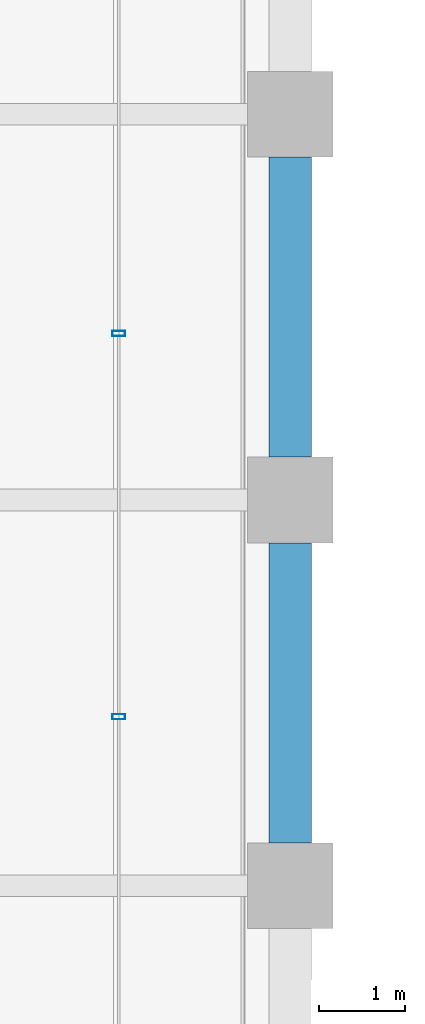
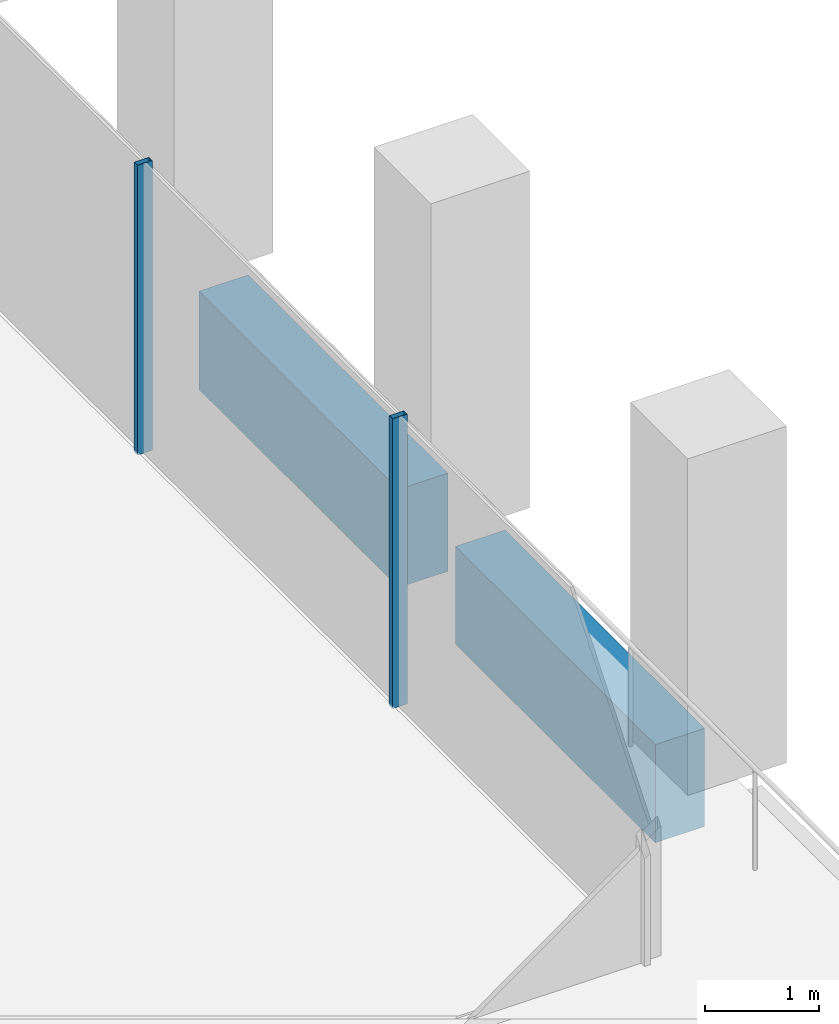
# One storey, part 15 of 46: 2 beams, 2 members, 1 element without a shape of its own.
"""IFC4 building model written with IfcOpenShell, lengths in metres."""

from ifc_helpers import new_model, si_unit, direction, frame, origin, origin_2d, place, context, subcontext, project, spatial, rectangle, hollow_rectangle, extrude, material, material_profile, profile_set, type_object, element, aggregate, save


model = new_model("IFC4")

# Units and contexts
model_context = context("Model", 3, precision=1e-05, world=origin(), true_north=direction((0.0, 1.0)))
body_context = subcontext(model_context, "Body", "Model", "MODEL_VIEW")
ifc_project = project(units=[si_unit("LENGTHUNIT", "METRE"), si_unit("AREAUNIT", "SQUARE_METRE"), si_unit("VOLUMEUNIT", "CUBIC_METRE"), si_unit("PLANEANGLEUNIT", "RADIAN"), si_unit("MASSUNIT", "GRAM", prefix="KILO")], contexts=[model_context])

# Site, building, storey
site_placement = place(None, origin())
site = spatial("IfcSite", under=ifc_project, at=site_placement, CompositionType="ELEMENT")
building_placement = place(site_placement, origin())
building = spatial("IfcBuilding", under=site, at=building_placement, Name="Altepetl Exchange Towers", CompositionType="ELEMENT")
storey_placement = place(building_placement, frame((0.0, 0.0, 102.800048828125)))
storey = spatial("IfcBuildingStorey", under=building, at=storey_placement, Name="L25", CompositionType="ELEMENT", Elevation=102.800048828125)

# Curtain wall, members
ifc_material_1 = material(Name="Aluminium 6063-T6 glazing", Category="aluminium")
curtain_wall_type = type_object("IfcCurtainWallType", Name="Loggia glazing system", PredefinedType="NOTDEFINED", material=ifc_material_1)
curtain_wall_placement = place(storey_placement, origin())
curtain_wall = element("IfcCurtainWall", 1, at=curtain_wall_placement, inside=storey, type_object=curtain_wall_type, Name="CW1 run", PredefinedType="NOTDEFINED")
ifc_material_2 = material(Name="Aluminium 6063-T6", Category="aluminium")
ifc_material_profile_1 = material_profile(ifc_material_2, hollow_rectangle(XDim=0.06005859375, YDim=0.14990234375, WallThickness=0.0029296875, at=origin_2d()), Name="Mullion 60x150 aluminium")
ifc_profile_set_1 = profile_set([ifc_material_profile_1], Name="Aluminium 6063-T6")
member_type = type_object("IfcMemberType", Name="Mullion 60x150 aluminium", PredefinedType="MULLION", material=ifc_profile_set_1)
member_1_placement = place(storey_placement, frame((70.0, 37.970947265625, 0.0), z_axis=(0.0, 0.0, 1.0), x_axis=(0.0, 1.0, 0.0)))
member_1 = element("IfcMember", 2, at=member_1_placement, type_object=member_type, Name="MU1 mullion", PredefinedType="MULLION", context=body_context, shape_type="SweptSolid", body=[
    extrude(hollow_rectangle(XDim=0.06005859375, YDim=0.14990234375, WallThickness=0.0029296875, at=origin_2d()), origin(), (0.0, 0.0, 1.0), 3.099853515625),
])
member_2_placement = place(storey_placement, frame((70.0, 42.44189453125, 0.0), z_axis=(0.0, 0.0, 1.0), x_axis=(0.0, 1.0, 0.0)))
member_2 = element("IfcMember", 3, at=member_2_placement, type_object=member_type, Name="MU1 mullion", PredefinedType="MULLION", context=body_context, shape_type="SweptSolid", body=[
    extrude(hollow_rectangle(XDim=0.06005859375, YDim=0.14990234375, WallThickness=0.0029296875, at=origin_2d()), origin(), (0.0, 0.0, 1.0), 3.099853515625),
])
aggregate(curtain_wall, [member_1, member_2])

# Beams
ifc_material_3 = material(Name="Concrete C50/60 precast with cantera amarilla facing", Category="concrete")
ifc_material_profile_2 = material_profile(ifc_material_3, rectangle(XDim=0.5, YDim=1.050048828125, at=origin_2d()), Name="500 x 1050")
ifc_profile_set_2 = profile_set([ifc_material_profile_2], Name="Concrete C50/60 precast with cantera amarilla facing")
beam_type = type_object("IfcBeamType", Name="Spandrel beam 500x1050 cantera amarilla", PredefinedType="SPANDREL", material=ifc_profile_set_2)
for number, where, z_axis, x_axis, name in (
    (4, (72.0, 36.5, -0.675048828125), (0.0, 1.0, 0.0), (-1.0, 0.0, 0.0), "sp:A:L25:013"),
    (5, (72.0, 41.0, -0.675048828125), (0.0, 1.0, 0.0), (-1.0, 0.0, 0.0), "sp:A:L25:014"),
):
    element("IfcBeam", number, at=place(storey_placement, frame(where, z_axis=z_axis, x_axis=x_axis)), inside=storey, type_object=beam_type, Name=name, PredefinedType="SPANDREL", context=body_context, shape_type="SweptSolid", body=[
        extrude(rectangle(XDim=0.5, YDim=1.050048828125, at=origin_2d()), origin(), (0.0, 0.0, 1.0), 3.5),
    ])

save(model, "model.ifc")
